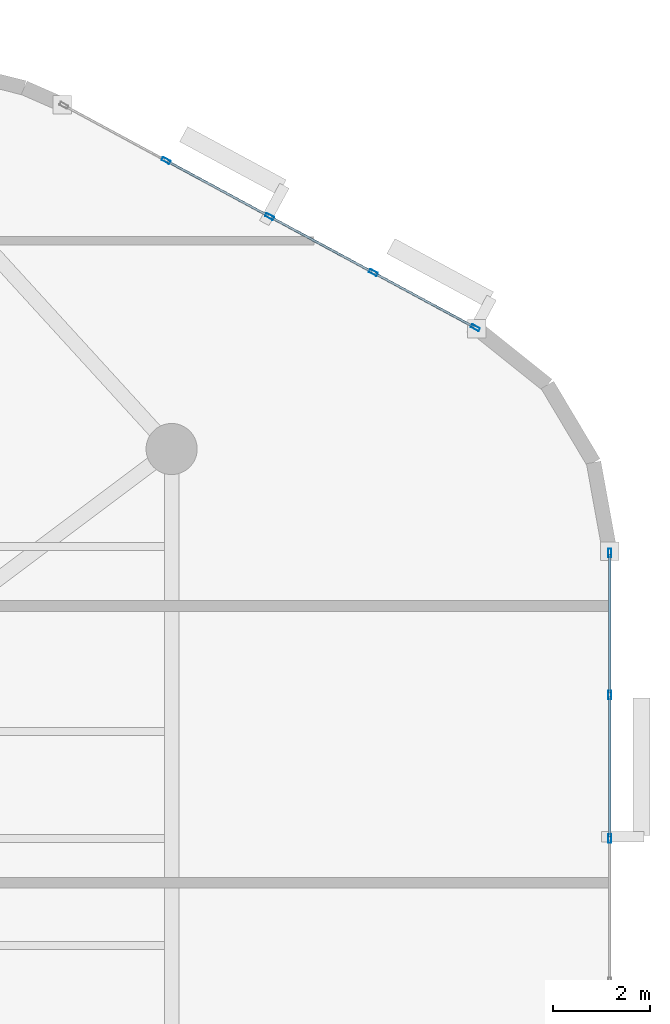
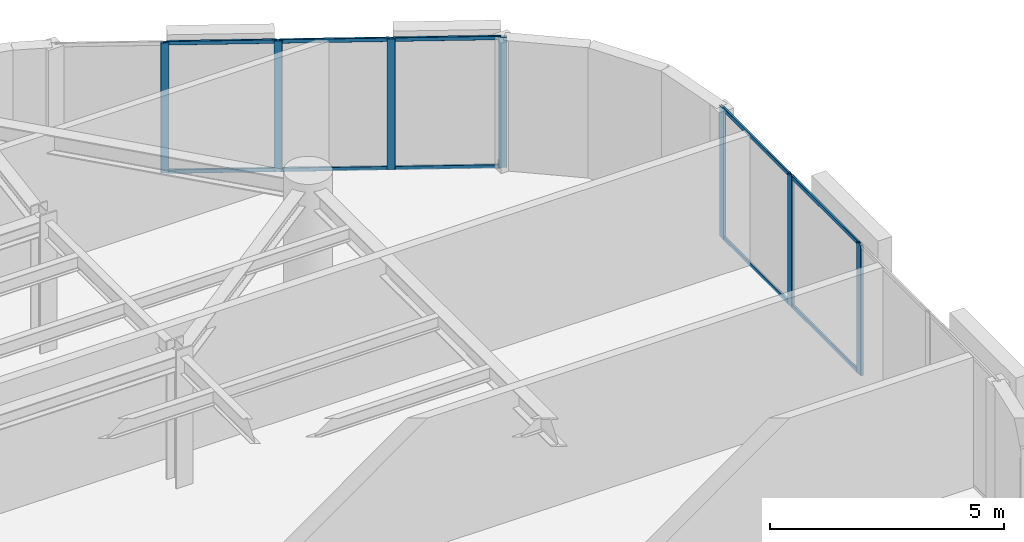
# One storey, part 6 of 13: 17 members, 2 elements without a shape of their own.
"""IFC4 building model written with IfcOpenShell, lengths in metres."""

from ifc_helpers import new_model, si_unit, direction, frame, origin, origin_2d, place, context, subcontext, project, spatial, hollow_rectangle, extrude, material, layer, layer_set, material_profile, profile_set, type_object, element, aggregate, save


model = new_model("IFC4")

# Units and contexts
model_context = context("Model", 3, precision=1e-05, world=origin(), true_north=direction((0.0, 1.0)))
body_context = subcontext(model_context, "Body", "Model", "MODEL_VIEW")
ifc_project = project(units=[si_unit("LENGTHUNIT", "METRE"), si_unit("AREAUNIT", "SQUARE_METRE"), si_unit("VOLUMEUNIT", "CUBIC_METRE"), si_unit("PLANEANGLEUNIT", "RADIAN"), si_unit("MASSUNIT", "GRAM", prefix="KILO")], contexts=[model_context])

# Site, building, storey
site_placement = place(None, origin())
site = spatial("IfcSite", under=ifc_project, at=site_placement, CompositionType="ELEMENT")
building_placement = place(site_placement, origin())
building = spatial("IfcBuilding", under=site, at=building_placement, Name="An Khanh Terracotta Commons", CompositionType="ELEMENT")
storey_placement = place(building_placement, frame((0.0, 0.0, 215.699951171875)))
storey = spatial("IfcBuildingStorey", under=building, at=storey_placement, Name="L56", CompositionType="ELEMENT", Elevation=215.699951171875)

# Curtain wall, members
ifc_material = material(Name="Anodised Aluminium 6063-T6", Category="aluminium")
ifc_layer = layer(ifc_material, 0.2099609375, Name="Anodised Aluminium 6063-T6")
ifc_layer_set = layer_set([ifc_layer], Name="Anodised Aluminium 6063-T6")
curtain_wall_type = type_object("IfcCurtainWallType", Name="CW-SYS-03", PredefinedType="USERDEFINED", material=ifc_layer_set)
curtain_wall_1_placement = place(storey_placement, origin())
curtain_wall_1 = element("IfcCurtainWall", 1, at=curtain_wall_1_placement, inside=storey, type_object=curtain_wall_type, Name="L56 CW-03 Unitised Curtain Wall CW-L56-12", ObjectType="UNITISED CURTAIN WALL", PredefinedType="USERDEFINED")
ifc_material_profile_1 = material_profile(ifc_material, hollow_rectangle(XDim=0.070068359375, YDim=0.179931640625, WallThickness=0.00390625, InnerFilletRadius=0.00390625, OuterFilletRadius=0.008056640625, at=origin_2d()), Name="RHS180x70x4")
ifc_profile_set_1 = profile_set([ifc_material_profile_1], Name="Anodised Aluminium 6063-T6")
member_type_1 = type_object("IfcMemberType", Name="CWM-RHS180x70x4", PredefinedType="MULLION", material=ifc_profile_set_1)
member_1_placement = place(storey_placement, frame((68.60009765625, 24.0, 0.0), z_axis=(0.0, 0.0, 1.0), x_axis=(-1.0, 0.0, 0.0)))
member_1 = element("IfcMember", 2, at=member_1_placement, type_object=member_type_1, Name="CW-03 mullion 3", PredefinedType="MULLION", context=body_context, shape_type="SweptSolid", body=[
    extrude(hollow_rectangle(XDim=0.070068359375, YDim=0.179931640625, WallThickness=0.00390625, InnerFilletRadius=0.00390625, OuterFilletRadius=0.008056640625, at=origin_2d()), origin(), (0.0, 0.0, 1.0), 3.400146484375),
])
member_2_placement = place(storey_placement, frame((68.60009765625, 26.949462890625, 0.0), z_axis=(0.0, 0.0, 1.0), x_axis=(-1.0, 0.0, 0.0)))
member_2 = element("IfcMember", 3, at=member_2_placement, type_object=member_type_1, Name="CW-03 mullion 4", PredefinedType="MULLION", context=body_context, shape_type="SweptSolid", body=[
    extrude(hollow_rectangle(XDim=0.070068359375, YDim=0.179931640625, WallThickness=0.00390625, InnerFilletRadius=0.00390625, OuterFilletRadius=0.008056640625, at=origin_2d()), origin(), (0.0, 0.0, 1.0), 3.400146484375),
])
member_3_placement = place(storey_placement, frame((68.60009765625, 29.864013671875, 0.0), z_axis=(0.0, 0.0, 1.0), x_axis=(-1.0, 0.0, 0.0)))
member_3 = element("IfcMember", 4, at=member_3_placement, type_object=member_type_1, Name="CW-03 mullion 5", PredefinedType="MULLION", context=body_context, shape_type="SweptSolid", body=[
    extrude(hollow_rectangle(XDim=0.070068359375, YDim=0.179931640625, WallThickness=0.00390625, InnerFilletRadius=0.00390625, OuterFilletRadius=0.008056640625, at=origin_2d()), origin(), (0.0, 0.0, 1.0), 3.400146484375),
])

curtain_wall_2_placement = place(storey_placement, origin())
curtain_wall_2 = element("IfcCurtainWall", 5, at=curtain_wall_2_placement, inside=storey, type_object=curtain_wall_type, Name="L56 CW-03 Unitised Curtain Wall CW-L56-16", ObjectType="UNITISED CURTAIN WALL", PredefinedType="USERDEFINED")
member_4_placement = place(storey_placement, frame((65.84130859375, 34.49072265625, 0.0), z_axis=(0.0, 0.0, 1.0), x_axis=(-0.47538088298, -0.879780095306, 0.0)))
member_4 = element("IfcMember", 6, at=member_4_placement, type_object=member_type_1, Name="CW-03 mullion 1", PredefinedType="MULLION", context=body_context, shape_type="SweptSolid", body=[
    extrude(hollow_rectangle(XDim=0.070068359375, YDim=0.179931640625, WallThickness=0.00390625, InnerFilletRadius=0.00390625, OuterFilletRadius=0.008056640625, at=origin_2d()), origin(), (0.0, 0.0, 1.0), 3.400146484375),
])
member_5_placement = place(storey_placement, frame((63.7431640625, 35.624267578125, 0.0), z_axis=(0.0, 0.0, 1.0), x_axis=(-0.47538088298, -0.879780095306, 0.0)))
member_5 = element("IfcMember", 7, at=member_5_placement, type_object=member_type_1, Name="CW-03 mullion 2", PredefinedType="MULLION", context=body_context, shape_type="SweptSolid", body=[
    extrude(hollow_rectangle(XDim=0.070068359375, YDim=0.179931640625, WallThickness=0.00390625, InnerFilletRadius=0.00390625, OuterFilletRadius=0.008056640625, at=origin_2d()), origin(), (0.0, 0.0, 1.0), 3.400146484375),
])
member_6_placement = place(storey_placement, frame((61.614501953125, 36.7744140625, 0.0), z_axis=(0.0, 0.0, 1.0), x_axis=(-0.47538088298, -0.879780095306, 0.0)))
member_6 = element("IfcMember", 8, at=member_6_placement, type_object=member_type_1, Name="CW-03 mullion 3", PredefinedType="MULLION", context=body_context, shape_type="SweptSolid", body=[
    extrude(hollow_rectangle(XDim=0.070068359375, YDim=0.179931640625, WallThickness=0.00390625, InnerFilletRadius=0.00390625, OuterFilletRadius=0.008056640625, at=origin_2d()), origin(), (0.0, 0.0, 1.0), 3.400146484375),
])
member_7_placement = place(storey_placement, frame((59.48583984375, 37.9248046875, 0.0), z_axis=(0.0, 0.0, 1.0), x_axis=(-0.47538088298, -0.879780095306, 0.0)))
member_7 = element("IfcMember", 9, at=member_7_placement, type_object=member_type_1, Name="CW-03 mullion 4", PredefinedType="MULLION", context=body_context, shape_type="SweptSolid", body=[
    extrude(hollow_rectangle(XDim=0.070068359375, YDim=0.179931640625, WallThickness=0.00390625, InnerFilletRadius=0.00390625, OuterFilletRadius=0.008056640625, at=origin_2d()), origin(), (0.0, 0.0, 1.0), 3.400146484375),
])

# Member
ifc_material_profile_2 = material_profile(ifc_material, hollow_rectangle(XDim=0.050048828125, YDim=0.10009765625, WallThickness=0.003173828125, InnerFilletRadius=0.003173828125, OuterFilletRadius=0.00634765625, at=origin_2d()), Name="RHS100x50x3.2")
ifc_profile_set_2 = profile_set([ifc_material_profile_2], Name="Anodised Aluminium 6063-T6")
member_type_2 = type_object("IfcMemberType", Name="CWT-RHS100x50x3.2", PredefinedType="USERDEFINED", material=ifc_profile_set_2)
member_8_placement = place(storey_placement, frame((68.60009765625, 24.034912109375, 0.025146484375), z_axis=(0.0, 1.0, 0.0), x_axis=(-1.0, 0.0, 0.0)))
member_8 = element("IfcMember", 10, at=member_8_placement, type_object=member_type_2, Name="CW-03 transom 3.1", ObjectType="TRANSOM", PredefinedType="USERDEFINED", context=body_context, shape_type="SweptSolid", body=[
    extrude(hollow_rectangle(XDim=0.050048828125, YDim=0.10009765625, WallThickness=0.003173828125, InnerFilletRadius=0.003173828125, OuterFilletRadius=0.00634765625, at=origin_2d()), origin(), (0.0, 0.0, 1.0), 2.879638671875),
])

member_9_placement = place(storey_placement, frame((68.60009765625, 24.034912109375, 3.375), z_axis=(0.0, 1.0, 0.0), x_axis=(-1.0, 0.0, 0.0)))
member_9 = element("IfcMember", 11, at=member_9_placement, type_object=member_type_2, Name="CW-03 transom 3.2", ObjectType="TRANSOM", PredefinedType="USERDEFINED", context=body_context, shape_type="SweptSolid", body=[
    extrude(hollow_rectangle(XDim=0.050048828125, YDim=0.10009765625, WallThickness=0.003173828125, InnerFilletRadius=0.003173828125, OuterFilletRadius=0.00634765625, at=origin_2d()), origin(), (0.0, 0.0, 1.0), 2.879638671875),
])

member_10_placement = place(storey_placement, frame((68.60009765625, 26.984619140625, 0.025146484375), z_axis=(0.0, 1.0, 0.0), x_axis=(-1.0, 0.0, 0.0)))
member_10 = element("IfcMember", 12, at=member_10_placement, type_object=member_type_2, Name="CW-03 transom 4.1", ObjectType="TRANSOM", PredefinedType="USERDEFINED", context=body_context, shape_type="SweptSolid", body=[
    extrude(hollow_rectangle(XDim=0.050048828125, YDim=0.10009765625, WallThickness=0.003173828125, InnerFilletRadius=0.003173828125, OuterFilletRadius=0.00634765625, at=origin_2d()), origin(), (0.0, 0.0, 1.0), 2.844482421875),
])

member_11_placement = place(storey_placement, frame((68.60009765625, 26.984619140625, 3.375), z_axis=(0.0, 1.0, 0.0), x_axis=(-1.0, 0.0, 0.0)))
member_11 = element("IfcMember", 13, at=member_11_placement, type_object=member_type_2, Name="CW-03 transom 4.2", ObjectType="TRANSOM", PredefinedType="USERDEFINED", context=body_context, shape_type="SweptSolid", body=[
    extrude(hollow_rectangle(XDim=0.050048828125, YDim=0.10009765625, WallThickness=0.003173828125, InnerFilletRadius=0.003173828125, OuterFilletRadius=0.00634765625, at=origin_2d()), origin(), (0.0, 0.0, 1.0), 2.844482421875),
])

aggregate(curtain_wall_1, [member_1, member_2, member_3, member_8, member_9, member_10, member_11])

member_12_placement = place(storey_placement, frame((65.810302734375, 34.50732421875, 0.025146484375), z_axis=(-0.879779245677, 0.475382455373, 0.0), x_axis=(-0.475382455373, -0.879779245677, 0.0)))
member_12 = element("IfcMember", 14, at=member_12_placement, type_object=member_type_2, Name="CW-03 transom 1.1", ObjectType="TRANSOM", PredefinedType="USERDEFINED", context=body_context, shape_type="SweptSolid", body=[
    extrude(hollow_rectangle(XDim=0.050048828125, YDim=0.10009765625, WallThickness=0.003173828125, InnerFilletRadius=0.003173828125, OuterFilletRadius=0.00634765625, at=origin_2d()), origin(), (0.0, 0.0, 1.0), 2.314697265625),
])

member_13_placement = place(storey_placement, frame((65.810302734375, 34.50732421875, 3.375), z_axis=(-0.879779245677, 0.475382455373, 0.0), x_axis=(-0.475382455373, -0.879779245677, 0.0)))
member_13 = element("IfcMember", 15, at=member_13_placement, type_object=member_type_2, Name="CW-03 transom 1.2", ObjectType="TRANSOM", PredefinedType="USERDEFINED", context=body_context, shape_type="SweptSolid", body=[
    extrude(hollow_rectangle(XDim=0.050048828125, YDim=0.10009765625, WallThickness=0.003173828125, InnerFilletRadius=0.003173828125, OuterFilletRadius=0.00634765625, at=origin_2d()), origin(), (0.0, 0.0, 1.0), 2.314697265625),
])

member_14_placement = place(storey_placement, frame((63.71240234375, 35.640869140625, 0.025146484375), z_axis=(-0.879782861449, 0.475375763686, 0.0), x_axis=(-0.475375763686, -0.879782861449, 0.0)))
member_14 = element("IfcMember", 16, at=member_14_placement, type_object=member_type_2, Name="CW-03 transom 2.1", ObjectType="TRANSOM", PredefinedType="USERDEFINED", context=body_context, shape_type="SweptSolid", body=[
    extrude(hollow_rectangle(XDim=0.050048828125, YDim=0.10009765625, WallThickness=0.003173828125, InnerFilletRadius=0.003173828125, OuterFilletRadius=0.00634765625, at=origin_2d()), origin(), (0.0, 0.0, 1.0), 2.349609375),
])

member_15_placement = place(storey_placement, frame((63.71240234375, 35.640869140625, 3.375), z_axis=(-0.879782861449, 0.475375763686, 0.0), x_axis=(-0.475375763686, -0.879782861449, 0.0)))
member_15 = element("IfcMember", 17, at=member_15_placement, type_object=member_type_2, Name="CW-03 transom 2.2", ObjectType="TRANSOM", PredefinedType="USERDEFINED", context=body_context, shape_type="SweptSolid", body=[
    extrude(hollow_rectangle(XDim=0.050048828125, YDim=0.10009765625, WallThickness=0.003173828125, InnerFilletRadius=0.003173828125, OuterFilletRadius=0.00634765625, at=origin_2d()), origin(), (0.0, 0.0, 1.0), 2.349609375),
])

member_16_placement = place(storey_placement, frame((61.583740234375, 36.791259765625, 0.025146484375), z_axis=(-0.879782861449, 0.475375763686, 0.0), x_axis=(-0.475375763686, -0.879782861449, 0.0)))
member_16 = element("IfcMember", 18, at=member_16_placement, type_object=member_type_2, Name="CW-03 transom 3.1", ObjectType="TRANSOM", PredefinedType="USERDEFINED", context=body_context, shape_type="SweptSolid", body=[
    extrude(hollow_rectangle(XDim=0.050048828125, YDim=0.10009765625, WallThickness=0.003173828125, InnerFilletRadius=0.003173828125, OuterFilletRadius=0.00634765625, at=origin_2d()), origin(), (0.0, 0.0, 1.0), 2.349609375),
])

member_17_placement = place(storey_placement, frame((61.583740234375, 36.791259765625, 3.375), z_axis=(-0.879782861449, 0.475375763686, 0.0), x_axis=(-0.475375763686, -0.879782861449, 0.0)))
member_17 = element("IfcMember", 19, at=member_17_placement, type_object=member_type_2, Name="CW-03 transom 3.2", ObjectType="TRANSOM", PredefinedType="USERDEFINED", context=body_context, shape_type="SweptSolid", body=[
    extrude(hollow_rectangle(XDim=0.050048828125, YDim=0.10009765625, WallThickness=0.003173828125, InnerFilletRadius=0.003173828125, OuterFilletRadius=0.00634765625, at=origin_2d()), origin(), (0.0, 0.0, 1.0), 2.349609375),
])

aggregate(curtain_wall_2, [member_4, member_5, member_6, member_7, member_12, member_13, member_14, member_15, member_16, member_17])

save(model, "model.ifc")
